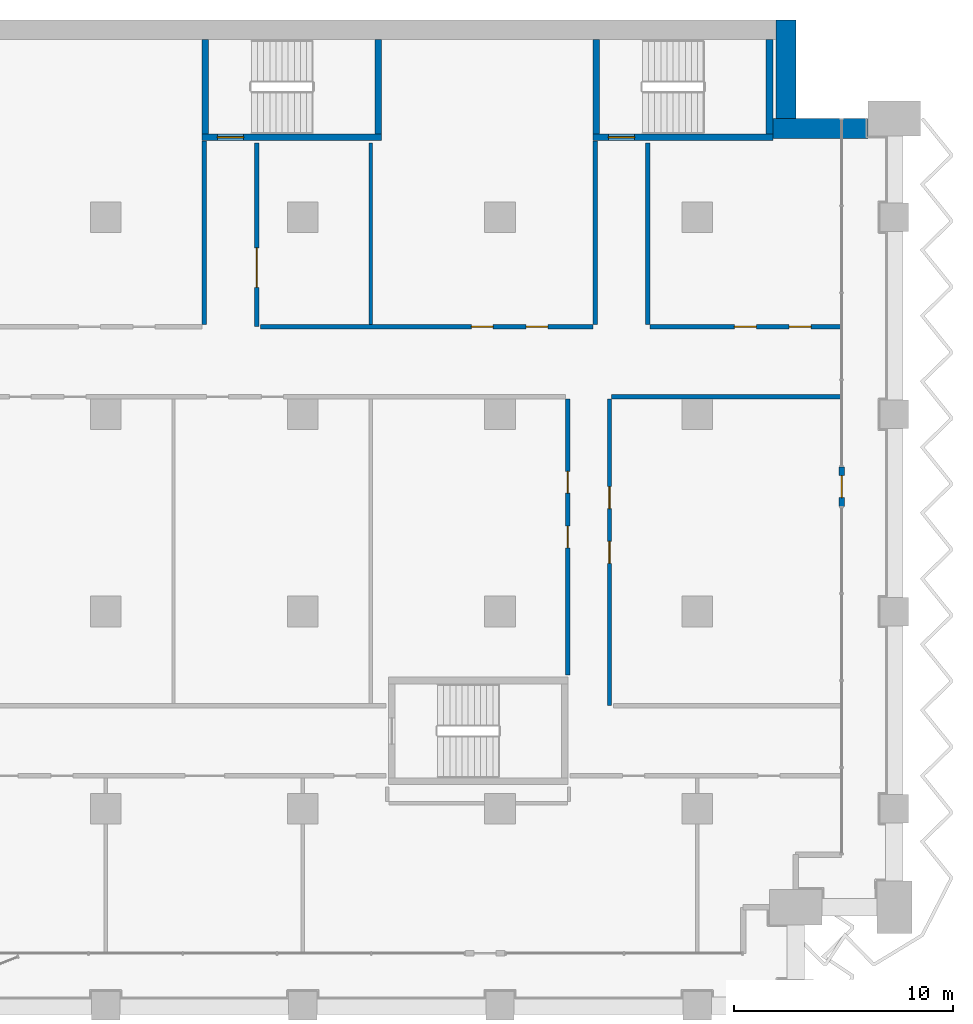
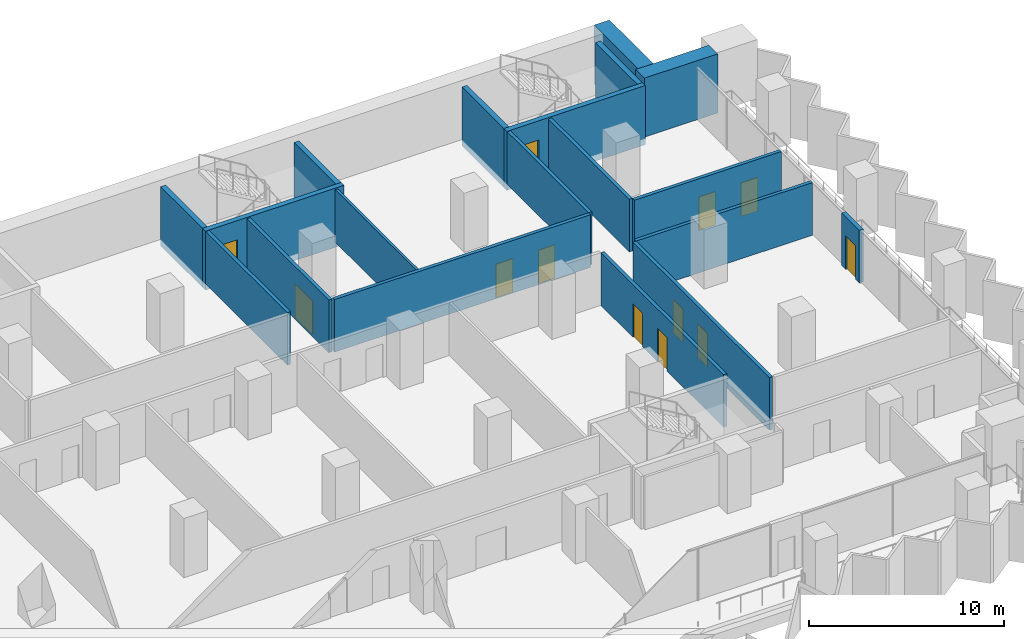
# One storey, part 18 of 28: 19 walls, 12 doors, 12 openings.
"""IFC4 building model written with IfcOpenShell, lengths in metres."""

from ifc_helpers import new_model, si_unit, direction, frame, frame_2d, origin, place, context, subcontext, project, spatial, rectangle, extrude, material, layer, layer_set, type_object, element, fill, save


model = new_model("IFC4")

# Units and contexts
model_context = context("Model", 3, precision=1e-05, world=origin(), true_north=direction((0.0, 1.0)))
body_context = subcontext(model_context, "Body", "Model", "MODEL_VIEW")
ifc_project = project(units=[si_unit("LENGTHUNIT", "METRE"), si_unit("AREAUNIT", "SQUARE_METRE"), si_unit("VOLUMEUNIT", "CUBIC_METRE"), si_unit("PLANEANGLEUNIT", "RADIAN"), si_unit("MASSUNIT", "GRAM", prefix="KILO")], contexts=[model_context])

# Site, building, storey
site_placement = place(None, origin())
site = spatial("IfcSite", under=ifc_project, at=site_placement, CompositionType="ELEMENT")
building_placement = place(site_placement, origin())
building = spatial("IfcBuilding", under=site, at=building_placement, Name="Hunhe Ridgeline Campus", CompositionType="ELEMENT")
storey_placement = place(building_placement, frame((0.0, 0.0, 39.5)))
storey = spatial("IfcBuildingStorey", under=building, at=storey_placement, Name="L08", CompositionType="ELEMENT", Elevation=39.5)

# Wall
ifc_material_1 = material(Name="Gypsum board partition")
ifc_layer_1 = layer(ifc_material_1, 0.199951171875)
ifc_layer_set_1 = layer_set([ifc_layer_1], Name="Corridor partition 200 gypsum board on steel studs")
wall_type_1 = type_object("IfcWallType", Name="Corridor partition 200 gypsum board on steel studs", PredefinedType="PARTITIONING", material=ifc_layer_set_1)
wall_1_placement = place(storey_placement, frame((96.544921875, 81.800048828125, 0.0), z_axis=(0.0, 0.0, 1.0), x_axis=(-1.0, 0.0, 0.0)))
element("IfcWall", 1, at=wall_1_placement, inside=storey, type_object=wall_type_1, Name="F-L08-wall-039", PredefinedType="PARTITIONING", context=body_context, shape_type="SweptSolid", body=[
    extrude(rectangle(XDim=10.44482421875, YDim=0.199951171875, at=frame_2d((5.222412109375, 0.0))), origin(), (0.0, 0.0, 1.0), 3.300048828125),
])

# Wall, openings, doors
wall_2_placement = place(storey_placement, frame((70.0703125, 85.0, 0.0), z_axis=(0.0, 0.0, 1.0), x_axis=(1.0, 0.0, 0.0)))
wall_2 = element("IfcWall", 2, at=wall_2_placement, inside=storey, type_object=wall_type_1, Name="F-L08-wall-042", PredefinedType="PARTITIONING", context=body_context, shape_type="SweptSolid", body=[
    extrude(rectangle(XDim=15.1796875, YDim=0.199951171875, at=frame_2d((7.58984375, 0.0))), origin(), (0.0, 0.0, 1.0), 3.300048828125),
])
opening_1_placement = place(wall_2_placement, frame((9.619873046875, 0.0, 0.0)))
opening_1 = element("IfcOpeningElement", 3, at=opening_1_placement, cuts=wall_2, Name="Opening RD1-047", PredefinedType="OPENING", context=body_context, shape_type="SweptSolid", body=[
    extrude(rectangle(XDim=1.0, YDim=2.10009765625, at=frame_2d((0.5, 1.050048828125))), frame((0.0, 0.10009765625, 0.0), z_axis=(0.0, -1.0, 0.0), x_axis=(1.0, 0.0, 0.0)), (0.0, 0.0, 1.0), 0.199951171875),
])
opening_2_placement = place(wall_2_placement, frame((12.119873046875, 0.0, 0.0)))
opening_2 = element("IfcOpeningElement", 4, at=opening_2_placement, cuts=wall_2, Name="Opening RD1-048", PredefinedType="OPENING", context=body_context, shape_type="SweptSolid", body=[
    extrude(rectangle(XDim=1.0, YDim=2.10009765625, at=frame_2d((0.5, 1.050048828125))), frame((0.0, 0.10009765625, 0.0), z_axis=(0.0, -1.0, 0.0), x_axis=(1.0, 0.0, 0.0)), (0.0, 0.0, 1.0), 0.199951171875),
])
ifc_material_2 = material(Name="Timber door leaf", Category="wood")
door_type_1 = type_object("IfcDoorType", Name="Single fire door 1000x2100 timber FD60", OperationType="NOTDEFINED", PredefinedType="DOOR", material=ifc_material_2)
door_1_placement = place(opening_1_placement, frame((1.0, 0.0, 0.0), z_axis=(0.0, 0.0, 1.0), x_axis=(-1.0, 0.0, 0.0)))
door_1 = element("IfcDoor", 5, at=door_1_placement, inside=storey, type_object=door_type_1, Name="F-L08-door-047", OperationType="SINGLE_SWING_LEFT", OverallHeight=2.10009765625, OverallWidth=1.0, PredefinedType="DOOR", context=body_context, shape_type="SweptSolid", body=[
    extrude(rectangle(XDim=1.0, YDim=2.10009765625, at=frame_2d((0.5, 1.050048828125))), frame((0.0, 0.02490234375, 0.0), z_axis=(0.0, -1.0, 0.0), x_axis=(1.0, 0.0, 0.0)), (0.0, 0.0, 1.0), 0.050048828125),
])
fill(opening_1, door_1)
door_2_placement = place(opening_2_placement, frame((1.0, 0.0, 0.0), z_axis=(0.0, 0.0, 1.0), x_axis=(-1.0, 0.0, 0.0)))
door_2 = element("IfcDoor", 6, at=door_2_placement, inside=storey, type_object=door_type_1, Name="F-L08-door-048", OperationType="SINGLE_SWING_LEFT", OverallHeight=2.10009765625, OverallWidth=1.0, PredefinedType="DOOR", context=body_context, shape_type="SweptSolid", body=[
    extrude(rectangle(XDim=1.0, YDim=2.10009765625, at=frame_2d((0.5, 1.050048828125))), frame((0.0, 0.02490234375, 0.0), z_axis=(0.0, -1.0, 0.0), x_axis=(1.0, 0.0, 0.0)), (0.0, 0.0, 1.0), 0.050048828125),
])
fill(opening_2, door_2)

wall_3_placement = place(storey_placement, frame((87.85009765625, 85.0, 0.0), z_axis=(0.0, 0.0, 1.0), x_axis=(1.0, 0.0, 0.0)))
wall_3 = element("IfcWall", 7, at=wall_3_placement, inside=storey, type_object=wall_type_1, Name="F-L08-wall-043", PredefinedType="PARTITIONING", context=body_context, shape_type="SweptSolid", body=[
    extrude(rectangle(XDim=8.69482421875, YDim=0.199951171875, at=frame_2d((4.347412109375, 0.0))), origin(), (0.0, 0.0, 1.0), 3.300048828125),
])
opening_3_placement = place(wall_3_placement, frame((3.847412109375, 0.0, 0.0)))
opening_3 = element("IfcOpeningElement", 8, at=opening_3_placement, cuts=wall_3, Name="Opening RD1-049", PredefinedType="OPENING", context=body_context, shape_type="SweptSolid", body=[
    extrude(rectangle(XDim=1.0, YDim=2.10009765625, at=frame_2d((0.5, 1.050048828125))), frame((0.0, 0.10009765625, 0.0), z_axis=(0.0, -1.0, 0.0), x_axis=(1.0, 0.0, 0.0)), (0.0, 0.0, 1.0), 0.199951171875),
])
opening_4_placement = place(wall_3_placement, frame((6.347412109375, 0.0, 0.0)))
opening_4 = element("IfcOpeningElement", 9, at=opening_4_placement, cuts=wall_3, Name="Opening RD1-050", PredefinedType="OPENING", context=body_context, shape_type="SweptSolid", body=[
    extrude(rectangle(XDim=1.0, YDim=2.10009765625, at=frame_2d((0.5, 1.050048828125))), frame((0.0, 0.10009765625, 0.0), z_axis=(0.0, -1.0, 0.0), x_axis=(1.0, 0.0, 0.0)), (0.0, 0.0, 1.0), 0.199951171875),
])
door_3_placement = place(opening_3_placement, frame((1.0, 0.0, 0.0), z_axis=(0.0, 0.0, 1.0), x_axis=(-1.0, 0.0, 0.0)))
door_3 = element("IfcDoor", 10, at=door_3_placement, inside=storey, type_object=door_type_1, Name="F-L08-door-049", OperationType="SINGLE_SWING_LEFT", OverallHeight=2.10009765625, OverallWidth=1.0, PredefinedType="DOOR", context=body_context, shape_type="SweptSolid", body=[
    extrude(rectangle(XDim=1.0, YDim=2.10009765625, at=frame_2d((0.5, 1.050048828125))), frame((0.0, 0.02490234375, 0.0), z_axis=(0.0, -1.0, 0.0), x_axis=(1.0, 0.0, 0.0)), (0.0, 0.0, 1.0), 0.050048828125),
])
fill(opening_3, door_3)
door_4_placement = place(opening_4_placement, frame((1.0, 0.0, 0.0), z_axis=(0.0, 0.0, 1.0), x_axis=(-1.0, 0.0, 0.0)))
door_4 = element("IfcDoor", 11, at=door_4_placement, inside=storey, type_object=door_type_1, Name="F-L08-door-050", OperationType="SINGLE_SWING_LEFT", OverallHeight=2.10009765625, OverallWidth=1.0, PredefinedType="DOOR", context=body_context, shape_type="SweptSolid", body=[
    extrude(rectangle(XDim=1.0, YDim=2.10009765625, at=frame_2d((0.5, 1.050048828125))), frame((0.0, 0.02490234375, 0.0), z_axis=(0.0, -1.0, 0.0), x_axis=(1.0, 0.0, 0.0)), (0.0, 0.0, 1.0), 0.050048828125),
])
fill(opening_4, door_4)

# Wall
wall_4_placement = place(storey_placement, frame((67.5, 85.10009765625, 0.0), z_axis=(0.0, 0.0, 1.0), x_axis=(0.0, 1.0, 0.0)))
element("IfcWall", 12, at=wall_4_placement, inside=storey, type_object=wall_type_1, Name="F-L08-wall-068", PredefinedType="PARTITIONING", context=body_context, shape_type="SweptSolid", body=[
    extrude(rectangle(XDim=8.369873046875, YDim=0.199951171875, at=frame_2d((4.18505859375, 0.0))), origin(), (0.0, 0.0, 1.0), 3.300048828125),
])

# Wall, opening, door
wall_5_placement = place(storey_placement, frame((69.89990234375, 93.39599609375, 0.0), z_axis=(0.0, 0.0, 1.0), x_axis=(0.0, -1.0, 0.0)))
wall_5 = element("IfcWall", 13, at=wall_5_placement, inside=storey, type_object=wall_type_1, Name="F-L08-wall-069", PredefinedType="PARTITIONING", context=body_context, shape_type="SweptSolid", body=[
    extrude(rectangle(XDim=8.39599609375, YDim=0.199951171875, at=frame_2d((4.197998046875, 0.0))), origin(), (0.0, 0.0, 1.0), 3.300048828125),
])
opening_5_placement = place(wall_5_placement, frame((4.798095703125, 0.0, 0.0)))
opening_5 = element("IfcOpeningElement", 14, at=opening_5_placement, cuts=wall_5, Name="Opening RD2-052", PredefinedType="OPENING", context=body_context, shape_type="SweptSolid", body=[
    extrude(rectangle(XDim=1.800048828125, YDim=2.10009765625, at=frame_2d((0.89990234375, 1.050048828125))), frame((0.0, 0.10009765625, 0.0), z_axis=(0.0, -1.0, 0.0), x_axis=(1.0, 0.0, 0.0)), (0.0, 0.0, 1.0), 0.199951171875),
])
door_type_2 = type_object("IfcDoorType", Name="Double fire door 1800x2100 timber FD60", OperationType="DOUBLE_DOOR_SINGLE_SWING", PredefinedType="DOOR", material=ifc_material_2)
door_5_placement = place(opening_5_placement, origin())
door_5 = element("IfcDoor", 15, at=door_5_placement, inside=storey, type_object=door_type_2, Name="F-L08-door-052", OperationType="DOUBLE_DOOR_SINGLE_SWING", OverallHeight=2.10009765625, OverallWidth=1.800048828125, PredefinedType="DOOR", context=body_context, shape_type="SweptSolid", body=[
    extrude(rectangle(XDim=1.800048828125, YDim=2.10009765625, at=frame_2d((0.89990234375, 1.050048828125))), frame((0.0, 0.02490234375, 0.0), z_axis=(0.0, -1.0, 0.0), x_axis=(1.0, 0.0, 0.0)), (0.0, 0.0, 1.0), 0.050048828125),
])
fill(opening_5, door_5)

# Wall, openings, doors
wall_6_placement = place(storey_placement, frame((84.10009765625, 69.10400390625, 0.0), z_axis=(0.0, 0.0, 1.0), x_axis=(0.0, 1.0, 0.0)))
wall_6 = element("IfcWall", 16, at=wall_6_placement, inside=storey, type_object=wall_type_1, Name="F-L08-wall-075", PredefinedType="PARTITIONING", context=body_context, shape_type="SweptSolid", body=[
    extrude(rectangle(XDim=12.595947265625, YDim=0.199951171875, at=frame_2d((6.2978515625, 0.0))), origin(), (0.0, 0.0, 1.0), 3.300048828125),
])
opening_6_placement = place(wall_6_placement, frame((5.798095703125, 0.0, 0.0)))
opening_6 = element("IfcOpeningElement", 17, at=opening_6_placement, cuts=wall_6, Name="Opening RD1-033", PredefinedType="OPENING", context=body_context, shape_type="SweptSolid", body=[
    extrude(rectangle(XDim=1.0, YDim=2.10009765625, at=frame_2d((0.5, 1.050048828125))), frame((0.0, 0.10009765625, 0.0), z_axis=(0.0, -1.0, 0.0), x_axis=(1.0, 0.0, 0.0)), (0.0, 0.0, 1.0), 0.199951171875),
])
opening_7_placement = place(wall_6_placement, frame((8.298095703125, 0.0, 0.0)))
opening_7 = element("IfcOpeningElement", 18, at=opening_7_placement, cuts=wall_6, Name="Opening RD1-036", PredefinedType="OPENING", context=body_context, shape_type="SweptSolid", body=[
    extrude(rectangle(XDim=1.0, YDim=2.10009765625, at=frame_2d((0.5, 1.050048828125))), frame((0.0, 0.10009765625, 0.0), z_axis=(0.0, -1.0, 0.0), x_axis=(1.0, 0.0, 0.0)), (0.0, 0.0, 1.0), 0.199951171875),
])
door_6_placement = place(opening_6_placement, frame((1.0, 0.0, 0.0), z_axis=(0.0, 0.0, 1.0), x_axis=(-1.0, 0.0, 0.0)))
door_6 = element("IfcDoor", 19, at=door_6_placement, inside=storey, type_object=door_type_1, Name="F-L08-door-033", OperationType="SINGLE_SWING_LEFT", OverallHeight=2.10009765625, OverallWidth=1.0, PredefinedType="DOOR", context=body_context, shape_type="SweptSolid", body=[
    extrude(rectangle(XDim=1.0, YDim=2.10009765625, at=frame_2d((0.5, 1.050048828125))), frame((0.0, 0.02490234375, 0.0), z_axis=(0.0, -1.0, 0.0), x_axis=(1.0, 0.0, 0.0)), (0.0, 0.0, 1.0), 0.050048828125),
])
fill(opening_6, door_6)
door_7_placement = place(opening_7_placement, frame((1.0, 0.0, 0.0), z_axis=(0.0, 0.0, 1.0), x_axis=(-1.0, 0.0, 0.0)))
door_7 = element("IfcDoor", 20, at=door_7_placement, inside=storey, type_object=door_type_1, Name="F-L08-door-036", OperationType="SINGLE_SWING_LEFT", OverallHeight=2.10009765625, OverallWidth=1.0, PredefinedType="DOOR", context=body_context, shape_type="SweptSolid", body=[
    extrude(rectangle(XDim=1.0, YDim=2.10009765625, at=frame_2d((0.5, 1.050048828125))), frame((0.0, 0.02490234375, 0.0), z_axis=(0.0, -1.0, 0.0), x_axis=(1.0, 0.0, 0.0)), (0.0, 0.0, 1.0), 0.050048828125),
])
fill(opening_7, door_7)

# Wall
wall_7_placement = place(storey_placement, frame((85.35009765625, 85.10009765625, 0.0), z_axis=(0.0, 0.0, 1.0), x_axis=(0.0, 1.0, 0.0)))
element("IfcWall", 21, at=wall_7_placement, inside=storey, type_object=wall_type_1, Name="F-L08-wall-077", PredefinedType="PARTITIONING", context=body_context, shape_type="SweptSolid", body=[
    extrude(rectangle(XDim=8.369873046875, YDim=0.199951171875, at=frame_2d((4.18505859375, 0.0))), origin(), (0.0, 0.0, 1.0), 3.300048828125),
])

# Wall, openings, doors
wall_8_placement = place(storey_placement, frame((86.0, 81.699951171875, 0.0), z_axis=(0.0, 0.0, 1.0), x_axis=(0.0, -1.0, 0.0)))
wall_8 = element("IfcWall", 22, at=wall_8_placement, inside=storey, type_object=wall_type_1, Name="F-L08-wall-078", PredefinedType="PARTITIONING", context=body_context, shape_type="SweptSolid", body=[
    extrude(rectangle(XDim=14.0, YDim=0.199951171875, at=frame_2d((7.0, 0.0))), origin(), (0.0, 0.0, 1.0), 3.300048828125),
])
opening_8_placement = place(wall_8_placement, frame((6.5, 0.0, 0.0)))
opening_8 = element("IfcOpeningElement", 23, at=opening_8_placement, cuts=wall_8, Name="Opening RD1-031", PredefinedType="OPENING", context=body_context, shape_type="SweptSolid", body=[
    extrude(rectangle(XDim=1.0, YDim=2.10009765625, at=frame_2d((0.5, 1.050048828125))), frame((0.0, 0.10009765625, 0.0), z_axis=(0.0, -1.0, 0.0), x_axis=(1.0, 0.0, 0.0)), (0.0, 0.0, 1.0), 0.199951171875),
])
opening_9_placement = place(wall_8_placement, frame((4.0, 0.0, 0.0)))
opening_9 = element("IfcOpeningElement", 24, at=opening_9_placement, cuts=wall_8, Name="Opening RD1-034", PredefinedType="OPENING", context=body_context, shape_type="SweptSolid", body=[
    extrude(rectangle(XDim=1.0, YDim=2.10009765625, at=frame_2d((0.5, 1.050048828125))), frame((0.0, 0.10009765625, 0.0), z_axis=(0.0, -1.0, 0.0), x_axis=(1.0, 0.0, 0.0)), (0.0, 0.0, 1.0), 0.199951171875),
])
door_8_placement = place(opening_8_placement, frame((1.0, 0.0, 0.0), z_axis=(0.0, 0.0, 1.0), x_axis=(-1.0, 0.0, 0.0)))
door_8 = element("IfcDoor", 25, at=door_8_placement, inside=storey, type_object=door_type_1, Name="F-L08-door-031", OperationType="SINGLE_SWING_RIGHT", OverallHeight=2.10009765625, OverallWidth=1.0, PredefinedType="DOOR", context=body_context, shape_type="SweptSolid", body=[
    extrude(rectangle(XDim=1.0, YDim=2.10009765625, at=frame_2d((0.5, 1.050048828125))), frame((0.0, 0.02490234375, 0.0), z_axis=(0.0, -1.0, 0.0), x_axis=(1.0, 0.0, 0.0)), (0.0, 0.0, 1.0), 0.050048828125),
])
fill(opening_8, door_8)
door_9_placement = place(opening_9_placement, frame((1.0, 0.0, 0.0), z_axis=(0.0, 0.0, 1.0), x_axis=(-1.0, 0.0, 0.0)))
door_9 = element("IfcDoor", 26, at=door_9_placement, inside=storey, type_object=door_type_1, Name="F-L08-door-034", OperationType="SINGLE_SWING_RIGHT", OverallHeight=2.10009765625, OverallWidth=1.0, PredefinedType="DOOR", context=body_context, shape_type="SweptSolid", body=[
    extrude(rectangle(XDim=1.0, YDim=2.10009765625, at=frame_2d((0.5, 1.050048828125))), frame((0.0, 0.02490234375, 0.0), z_axis=(0.0, -1.0, 0.0), x_axis=(1.0, 0.0, 0.0)), (0.0, 0.0, 1.0), 0.050048828125),
])
fill(opening_9, door_9)

# Wall
wall_9_placement = place(storey_placement, frame((87.75, 93.39599609375, 0.0), z_axis=(0.0, 0.0, 1.0), x_axis=(0.0, -1.0, 0.0)))
element("IfcWall", 27, at=wall_9_placement, inside=storey, type_object=wall_type_1, Name="F-L08-wall-079", PredefinedType="PARTITIONING", context=body_context, shape_type="SweptSolid", body=[
    extrude(rectangle(XDim=8.2958984375, YDim=0.199951171875, at=frame_2d((4.14794921875, 0.0))), origin(), (0.0, 0.0, 1.0), 3.300048828125),
])

# Wall, opening, door
ifc_material_3 = material(Name="Concrete C30", Category="concrete")
ifc_layer_2 = layer(ifc_material_3, 0.25)
ifc_layer_set_2 = layer_set([ifc_layer_2], Name="Loggia door pier wall 250 Concrete C30")
wall_type_2 = type_object("IfcWallType", Name="Loggia door pier wall 250 Concrete C30", PredefinedType="SOLIDWALL", material=ifc_layer_set_2)
wall_10_placement = place(storey_placement, frame((96.59912109375, 76.800537109375, 0.0), z_axis=(0.0, 0.0, 1.0), x_axis=(0.0, 1.0, 0.0)))
wall_10 = element("IfcWall", 28, at=wall_10_placement, inside=storey, type_object=wall_type_2, Name="Loggia door pier 5", PredefinedType="SOLIDWALL", context=body_context, shape_type="SweptSolid", body=[
    extrude(rectangle(XDim=1.800048828125, YDim=0.25, at=frame_2d((0.89990234375, 0.0))), origin(), (0.0, 0.0, 1.0), 3.300048828125),
])
opening_10_placement = place(wall_10_placement, frame((0.39990234375, 0.0, 0.0)))
opening_10 = element("IfcOpeningElement", 29, at=opening_10_placement, cuts=wall_10, Name="Opening BD108", PredefinedType="OPENING", context=body_context, shape_type="SweptSolid", body=[
    extrude(rectangle(XDim=1.0, YDim=2.10009765625, at=frame_2d((0.5, 1.050048828125))), frame((0.0, 0.125, 0.0), z_axis=(0.0, -1.0, 0.0), x_axis=(1.0, 0.0, 0.0)), (0.0, 0.0, 1.0), 0.25),
])
ifc_material_4 = material(Name="Aluminium 6063", Category="aluminium")
door_type_3 = type_object("IfcDoorType", Name="Loggia glazed door 1000x2100", OperationType="NOTDEFINED", PredefinedType="DOOR", material=ifc_material_4)
door_10_placement = place(opening_10_placement, frame((1.0, 0.0, 0.0), z_axis=(0.0, 0.0, 1.0), x_axis=(-1.0, 0.0, 0.0)))
door_10 = element("IfcDoor", 30, at=door_10_placement, inside=storey, type_object=door_type_3, Name="Loggia door BD108", OperationType="SINGLE_SWING_LEFT", OverallHeight=2.10009765625, OverallWidth=1.0, PredefinedType="DOOR", context=body_context, shape_type="SweptSolid", body=[
    extrude(rectangle(XDim=1.0, YDim=2.10009765625, at=frame_2d((0.5, 1.050048828125))), frame((0.0, 0.02490234375, 0.0), z_axis=(0.0, -1.0, 0.0), x_axis=(1.0, 0.0, 0.0)), (0.0, 0.0, 1.0), 0.050048828125),
])
fill(opening_10, door_10)

# Walls
ifc_layer_3 = layer(ifc_material_1, 0.14990234375)
ifc_layer_set_3 = layer_set([ifc_layer_3], Name="Room partition 150 gypsum board on steel studs")
wall_type_3 = type_object("IfcWallType", Name="Room partition 150 gypsum board on steel studs", PredefinedType="PARTITIONING", material=ifc_layer_set_3)
wall_11_placement = place(storey_placement, frame((75.10009765625, 93.39599609375, 0.0), z_axis=(0.0, 0.0, 1.0), x_axis=(0.0, -1.0, 0.0)))
element("IfcWall", 31, at=wall_11_placement, inside=storey, type_object=wall_type_3, Name="F-L08-wall-073", PredefinedType="PARTITIONING", context=body_context, shape_type="SweptSolid", body=[
    extrude(rectangle(XDim=8.2958984375, YDim=0.14990234375, at=frame_2d((4.14794921875, 0.0))), origin(), (0.0, 0.0, 1.0), 3.300048828125),
])
ifc_material_5 = material(Name="Concrete C80", Category="concrete")
ifc_layer_4 = layer(ifc_material_5, 0.89990234375)
ifc_layer_set_4 = layer_set([ifc_layer_4], Name="Spine wall 900 Concrete C80")
wall_type_4 = type_object("IfcWallType", Name="Spine wall 900 Concrete C80", PredefinedType="SHEAR", material=ifc_layer_set_4)
wall_12_placement = place(storey_placement, frame((97.800048828125, 94.050048828125, 0.0), z_axis=(0.0, 0.0, 1.0), x_axis=(-1.0, 0.0, 0.0)))
element("IfcWall", 32, at=wall_12_placement, inside=storey, type_object=wall_type_4, Name="Spine wall SW1-2 L08", PredefinedType="SHEAR", context=body_context, shape_type="SweptSolid", body=[
    extrude(rectangle(XDim=4.3505859375, YDim=0.89990234375, at=frame_2d((2.17529296875, 0.0))), origin(), (0.0, 0.0, 1.0), 3.699951171875),
])
wall_13_placement = place(storey_placement, frame((94.050048828125, 93.60009765625, 0.0), z_axis=(0.0, 0.0, 1.0), x_axis=(0.0, 1.0, 0.0)))
element("IfcWall", 33, at=wall_13_placement, inside=storey, type_object=wall_type_4, Name="Spine wall SW1-3 L08", PredefinedType="SHEAR", context=body_context, shape_type="SweptSolid", body=[
    extrude(rectangle(XDim=5.39990234375, YDim=0.89990234375, at=frame_2d((2.699951171875, 0.0))), origin(), (0.0, 0.0, 1.0), 3.699951171875),
])

# Wall, opening, door
ifc_layer_5 = layer(ifc_material_5, 0.300048828125)
ifc_layer_set_5 = layer_set([ifc_layer_5], Name="Stair wall 300 reinforced concrete C80")
wall_type_5 = type_object("IfcWallType", Name="Stair wall 300 reinforced concrete C80", PredefinedType="SOLIDWALL", material=ifc_layer_set_5)
wall_14_placement = place(storey_placement, frame((67.39990234375, 93.64990234375, -0.39990234375), z_axis=(0.0, 0.0, 1.0), x_axis=(1.0, 0.0, 0.0)))
wall_14 = element("IfcWall", 34, at=wall_14_placement, inside=storey, type_object=wall_type_5, Name="L08 core wall 34", PredefinedType="SOLIDWALL", context=body_context, shape_type="SweptSolid", body=[
    extrude(rectangle(XDim=8.2001953125, YDim=0.300048828125, at=frame_2d((4.10009765625, 0.0))), origin(), (0.0, 0.0, 1.0), 3.699951171875),
])
opening_11_placement = place(wall_14_placement, frame((0.699951171875, 0.0, 0.39990234375)))
opening_11 = element("IfcOpeningElement", 35, at=opening_11_placement, cuts=wall_14, Name="Opening CD19", PredefinedType="OPENING", context=body_context, shape_type="SweptSolid", body=[
    extrude(rectangle(XDim=1.199951171875, YDim=2.10009765625, at=frame_2d((0.60009765625, 1.050048828125))), frame((0.0, 0.14990234375, 0.0), z_axis=(0.0, -1.0, 0.0), x_axis=(1.0, 0.0, 0.0)), (0.0, 0.0, 1.0), 0.300048828125),
])
ifc_material_6 = material(Name="Hollow metal fire door leaf")
door_type_4 = type_object("IfcDoorType", Name="Stair door 1200x2100 FD60", OperationType="SINGLE_SWING_LEFT", PredefinedType="DOOR", material=ifc_material_6)
door_11_placement = place(opening_11_placement, frame((1.199951171875, 0.0, 0.0), z_axis=(0.0, 0.0, 1.0), x_axis=(-1.0, 0.0, 0.0)))
door_11 = element("IfcDoor", 36, at=door_11_placement, inside=storey, type_object=door_type_4, Name="L08 door E3", OperationType="SINGLE_SWING_RIGHT", OverallHeight=2.10009765625, OverallWidth=1.199951171875, PredefinedType="DOOR", context=body_context, shape_type="SweptSolid", body=[
    extrude(rectangle(XDim=1.199951171875, YDim=2.10009765625, at=frame_2d((0.60009765625, 1.050048828125))), frame((0.0, 0.02490234375, 0.0), z_axis=(0.0, -1.0, 0.0), x_axis=(1.0, 0.0, 0.0)), (0.0, 0.0, 1.0), 0.050048828125),
])
fill(opening_11, door_11)

wall_15_placement = place(storey_placement, frame((85.25, 93.64990234375, -0.39990234375), z_axis=(0.0, 0.0, 1.0), x_axis=(1.0, 0.0, 0.0)))
wall_15 = element("IfcWall", 37, at=wall_15_placement, inside=storey, type_object=wall_type_5, Name="L08 core wall 35", PredefinedType="SOLIDWALL", context=body_context, shape_type="SweptSolid", body=[
    extrude(rectangle(XDim=8.199951171875, YDim=0.300048828125, at=frame_2d((4.10009765625, 0.0))), origin(), (0.0, 0.0, 1.0), 3.699951171875),
])
opening_12_placement = place(wall_15_placement, frame((0.699951171875, 0.0, 0.39990234375)))
opening_12 = element("IfcOpeningElement", 38, at=opening_12_placement, cuts=wall_15, Name="Opening CD20", PredefinedType="OPENING", context=body_context, shape_type="SweptSolid", body=[
    extrude(rectangle(XDim=1.199951171875, YDim=2.10009765625, at=frame_2d((0.60009765625, 1.050048828125))), frame((0.0, 0.14990234375, 0.0), z_axis=(0.0, -1.0, 0.0), x_axis=(1.0, 0.0, 0.0)), (0.0, 0.0, 1.0), 0.300048828125),
])
door_12_placement = place(opening_12_placement, frame((1.199951171875, 0.0, 0.0), z_axis=(0.0, 0.0, 1.0), x_axis=(-1.0, 0.0, 0.0)))
door_12 = element("IfcDoor", 39, at=door_12_placement, inside=storey, type_object=door_type_4, Name="L08 door E4", OperationType="SINGLE_SWING_LEFT", OverallHeight=2.10009765625, OverallWidth=1.199951171875, PredefinedType="DOOR", context=body_context, shape_type="SweptSolid", body=[
    extrude(rectangle(XDim=1.199951171875, YDim=2.10009765625, at=frame_2d((0.60009765625, 1.050048828125))), frame((0.0, 0.02490234375, 0.0), z_axis=(0.0, -1.0, 0.0), x_axis=(1.0, 0.0, 0.0)), (0.0, 0.0, 1.0), 0.050048828125),
])
fill(opening_12, door_12)

# Walls
for number, where, z_axis, x_axis, name in (
    (40, (67.550048828125, 93.800048828125, -0.39990234375), (0.0, 0.0, 1.0), (0.0, 1.0, 0.0), "L08 core wall 69"),
    (41, (75.449951171875, 93.800048828125, -0.39990234375), (0.0, 0.0, 1.0), (0.0, 1.0, 0.0), "L08 core wall 70"),
    (42, (85.39990234375, 93.800048828125, -0.39990234375), (0.0, 0.0, 1.0), (0.0, 1.0, 0.0), "L08 core wall 73"),
    (43, (93.300048828125, 93.800048828125, -0.39990234375), (0.0, 0.0, 1.0), (0.0, 1.0, 0.0), "L08 core wall 74"),
):
    element("IfcWall", number, at=place(storey_placement, frame(where, z_axis=z_axis, x_axis=x_axis)), inside=storey, type_object=wall_type_5, Name=name, PredefinedType="SOLIDWALL", context=body_context, shape_type="SweptSolid", body=[
        extrude(rectangle(XDim=4.300048828125, YDim=0.300048828125, at=frame_2d((2.14990234375, 0.0))), origin(), (0.0, 0.0, 1.0), 3.699951171875),
    ])

save(model, "model.ifc")
